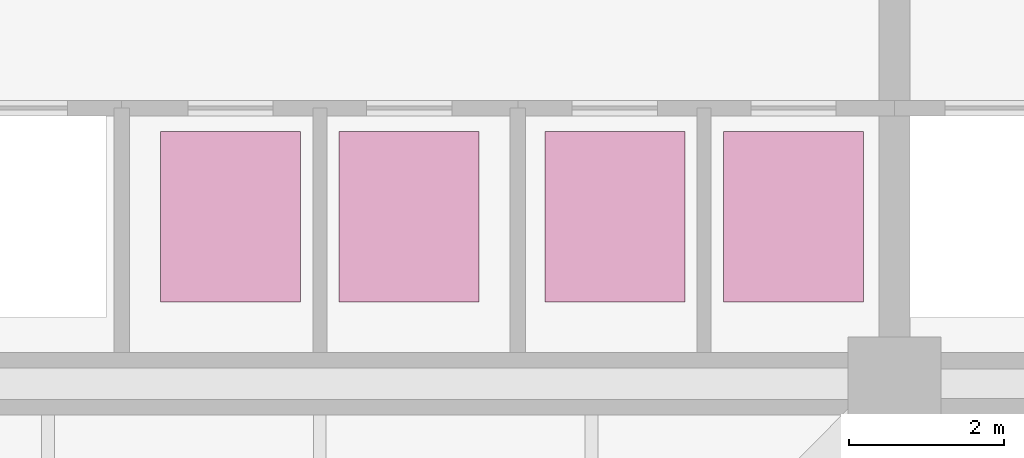
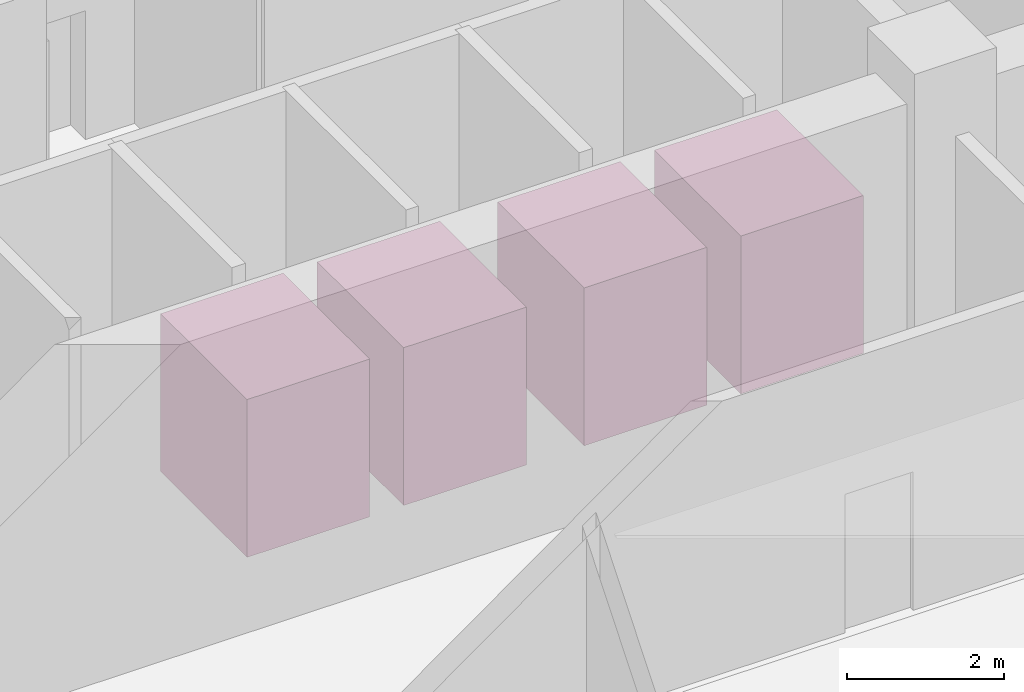
# One storey, part 15 of 15: 4 transport elements.
"""IFC4 building model written with IfcOpenShell, lengths in metres."""

from ifc_helpers import new_model, si_unit, direction, frame, origin, origin_2d, place, context, subcontext, project, spatial, rectangle, extrude, material, type_object, element, save


model = new_model("IFC4")

# Units and contexts
model_context = context("Model", 3, precision=1e-05, world=origin(), true_north=direction((0.0, 1.0)))
body_context = subcontext(model_context, "Body", "Model", "MODEL_VIEW")
ifc_project = project(units=[si_unit("LENGTHUNIT", "METRE"), si_unit("AREAUNIT", "SQUARE_METRE"), si_unit("VOLUMEUNIT", "CUBIC_METRE"), si_unit("PLANEANGLEUNIT", "RADIAN"), si_unit("MASSUNIT", "GRAM", prefix="KILO")], contexts=[model_context])

# Site, building, storey
site_placement = place(None, origin())
site = spatial("IfcSite", under=ifc_project, at=site_placement, CompositionType="ELEMENT")
building_placement = place(site_placement, origin())
building = spatial("IfcBuilding", under=site, at=building_placement, Name="Solmavex Isthmus Hotel", CompositionType="ELEMENT")
storey_placement = place(building_placement, origin())
storey = spatial("IfcBuildingStorey", under=building, at=storey_placement, Name="L01", CompositionType="ELEMENT", Elevation=0.0)

# Transport elements
ifc_material = material(Name="Stainless steel 316", Category="steel")
transport_element_type = type_object("IfcTransportElementType", Name="LFT-PAS-1600", PredefinedType="ELEVATOR", material=ifc_material)
for number, where, z_axis, x_axis, name in (
    (1, (-1.14990234375, -10.85009765625, 0.0), (0.0, 0.0, 1.0), (1.0, 0.0, 0.0), "Mid-Rise Passenger Lift PL-M1"),
    (2, (1.14990234375, -10.85009765625, 0.0), (0.0, 0.0, 1.0), (1.0, 0.0, 0.0), "Mid-Rise Passenger Lift PL-M2"),
    (3, (3.800048828125, -10.85009765625, 0.0), (0.0, 0.0, 1.0), (1.0, 0.0, 0.0), "High-Rise Passenger Lift PL-H1"),
    (4, (6.10009765625, -10.85009765625, 0.0), (0.0, 0.0, 1.0), (1.0, 0.0, 0.0), "High-Rise Passenger Lift PL-H2"),
):
    element("IfcTransportElement", number, at=place(storey_placement, frame(where, z_axis=z_axis, x_axis=x_axis)), inside=storey, type_object=transport_element_type, Name=name, PredefinedType="ELEVATOR", context=body_context, shape_type="SweptSolid", body=[
        extrude(rectangle(XDim=1.800048828125, YDim=2.199951171875, at=origin_2d()), origin(), (0.0, 0.0, 1.0), 2.449951171875),
    ])

save(model, "model.ifc")
